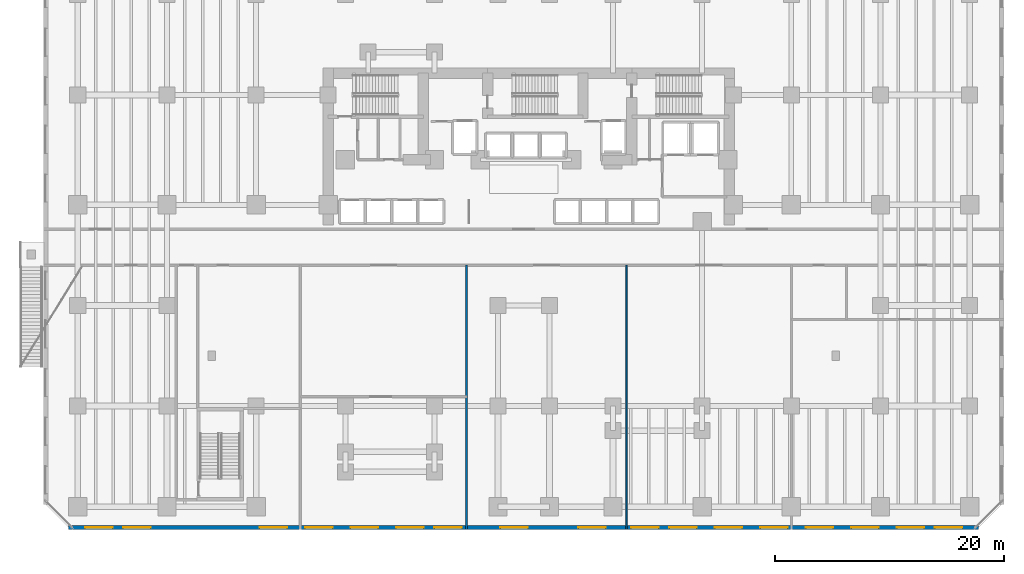
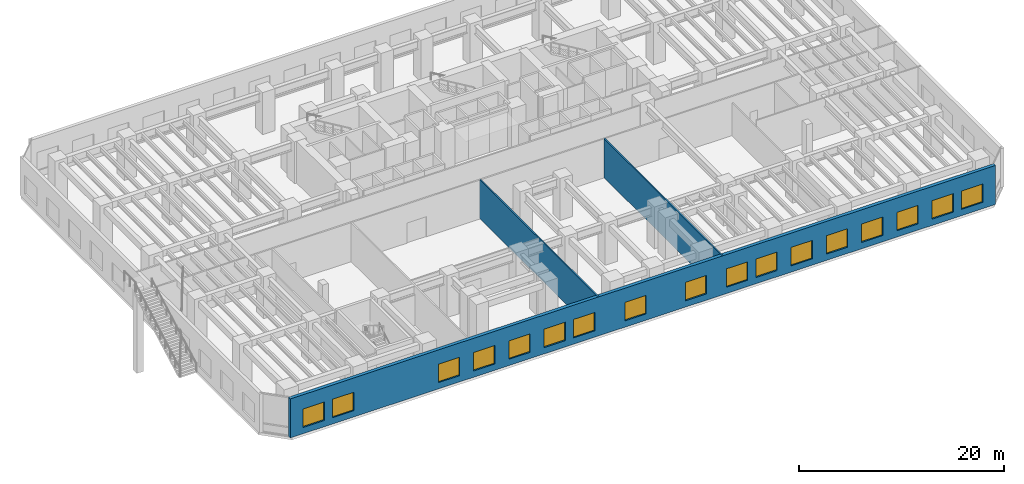
# One storey, part 11 of 19: 17 windows, 3 walls, 17 openings.
"""IFC4 building model written with IfcOpenShell, lengths in metres."""

from ifc_helpers import new_model, si_unit, direction, frame, frame_2d, origin, place, context, subcontext, project, spatial, rectangle, extrude, material, layer, layer_set, type_object, element, fill, save


model = new_model("IFC4")

# Units and contexts
model_context = context("Model", 3, precision=1e-05, world=origin(), true_north=direction((0.0, 1.0)))
body_context = subcontext(model_context, "Body", "Model", "MODEL_VIEW")
ifc_project = project(units=[si_unit("LENGTHUNIT", "METRE"), si_unit("AREAUNIT", "SQUARE_METRE"), si_unit("VOLUMEUNIT", "CUBIC_METRE"), si_unit("PLANEANGLEUNIT", "RADIAN"), si_unit("MASSUNIT", "GRAM", prefix="KILO")], contexts=[model_context])

# Site, building, storey
site_placement = place(None, origin())
site = spatial("IfcSite", under=ifc_project, at=site_placement, CompositionType="ELEMENT")
building_placement = place(site_placement, origin())
building = spatial("IfcBuilding", under=site, at=building_placement, Name="Kestravale Grand Hotel", CompositionType="ELEMENT")
storey_placement = place(building_placement, frame((0.0, 0.0, 5.39990234375)))
storey = spatial("IfcBuildingStorey", under=building, at=storey_placement, Name="L01", CompositionType="ELEMENT", Elevation=5.39990234375)

# Wall, openings, windows
ifc_material_1 = material(Name="Precast concrete f'c 45 MPa", Category="concrete")
ifc_layer_1 = layer(ifc_material_1, 0.3798828125)
ifc_layer_set_1 = layer_set([ifc_layer_1], Name="EW-POD-380")
wall_type_1 = type_object("IfcWallType", Name="EW-POD-380", PredefinedType="SOLIDWALL", material=ifc_layer_set_1)
wall_placement = place(storey_placement, frame((-0.7900390625, 0.590087890625, 0.0), z_axis=(0.0, 0.0, 1.0), x_axis=(1.0, 0.0, 0.0)))
wall = element("IfcWall", 1, at=wall_placement, inside=storey, type_object=wall_type_1, Name="L01 fluted precast facade wall 1", PredefinedType="SOLIDWALL", context=body_context, shape_type="SweptSolid", body=[
    extrude(rectangle(XDim=79.580078125, YDim=0.3798828125, at=frame_2d((39.7900390625, 0.0))), origin(), (0.0, 0.0, 1.0), 4.650146484375),
])
opening_1_placement = place(wall_placement, frame((1.439453125, 0.0, 0.75)))
opening_1 = element("IfcOpeningElement", 2, at=opening_1_placement, cuts=wall, Name="Opening W-POD-2400", PredefinedType="OPENING", context=body_context, shape_type="SweptSolid", body=[
    extrude(rectangle(XDim=2.39990234375, YDim=2.199951171875, at=frame_2d((1.199951171875, 1.10009765625))), frame((0.0, 0.199951171875, 0.0), z_axis=(0.0, -1.0, 0.0), x_axis=(1.0, 0.0, 0.0)), (0.0, 0.0, 1.0), 0.39990234375),
])
opening_2_placement = place(wall_placement, frame((4.7685546875, 0.0, 0.75)))
opening_2 = element("IfcOpeningElement", 3, at=opening_2_placement, cuts=wall, Name="Opening W-POD-2400", PredefinedType="OPENING", context=body_context, shape_type="SweptSolid", body=[
    extrude(rectangle(XDim=2.39990234375, YDim=2.199951171875, at=frame_2d((1.199951171875, 1.10009765625))), frame((0.0, 0.199951171875, 0.0), z_axis=(0.0, -1.0, 0.0), x_axis=(1.0, 0.0, 0.0)), (0.0, 0.0, 1.0), 0.39990234375),
])
opening_3_placement = place(wall_placement, frame((16.70556640625, 0.0, 0.75)))
opening_3 = element("IfcOpeningElement", 4, at=opening_3_placement, cuts=wall, Name="Opening W-POD-2400", PredefinedType="OPENING", context=body_context, shape_type="SweptSolid", body=[
    extrude(rectangle(XDim=2.39990234375, YDim=2.199951171875, at=frame_2d((1.199951171875, 1.10009765625))), frame((0.0, 0.199951171875, 0.0), z_axis=(0.0, -1.0, 0.0), x_axis=(1.0, 0.0, 0.0)), (0.0, 0.0, 1.0), 0.39990234375),
])
opening_4_placement = place(wall_placement, frame((20.6845703125, 0.0, 0.75)))
opening_4 = element("IfcOpeningElement", 5, at=opening_4_placement, cuts=wall, Name="Opening W-POD-2400", PredefinedType="OPENING", context=body_context, shape_type="SweptSolid", body=[
    extrude(rectangle(XDim=2.39990234375, YDim=2.199951171875, at=frame_2d((1.199951171875, 1.10009765625))), frame((0.0, 0.199951171875, 0.0), z_axis=(0.0, -1.0, 0.0), x_axis=(1.0, 0.0, 0.0)), (0.0, 0.0, 1.0), 0.39990234375),
])
opening_5_placement = place(wall_placement, frame((24.66357421875, 0.0, 0.75)))
opening_5 = element("IfcOpeningElement", 6, at=opening_5_placement, cuts=wall, Name="Opening W-POD-2400", PredefinedType="OPENING", context=body_context, shape_type="SweptSolid", body=[
    extrude(rectangle(XDim=2.39990234375, YDim=2.199951171875, at=frame_2d((1.199951171875, 1.10009765625))), frame((0.0, 0.199951171875, 0.0), z_axis=(0.0, -1.0, 0.0), x_axis=(1.0, 0.0, 0.0)), (0.0, 0.0, 1.0), 0.39990234375),
])
opening_6_placement = place(wall_placement, frame((28.642578125, 0.0, 0.75)))
opening_6 = element("IfcOpeningElement", 7, at=opening_6_placement, cuts=wall, Name="Opening W-POD-2400", PredefinedType="OPENING", context=body_context, shape_type="SweptSolid", body=[
    extrude(rectangle(XDim=2.39990234375, YDim=2.199951171875, at=frame_2d((1.199951171875, 1.10009765625))), frame((0.0, 0.199951171875, 0.0), z_axis=(0.0, -1.0, 0.0), x_axis=(1.0, 0.0, 0.0)), (0.0, 0.0, 1.0), 0.39990234375),
])
opening_7_placement = place(wall_placement, frame((31.971435546875, 0.0, 0.75)))
opening_7 = element("IfcOpeningElement", 8, at=opening_7_placement, cuts=wall, Name="Opening W-POD-2400", PredefinedType="OPENING", context=body_context, shape_type="SweptSolid", body=[
    extrude(rectangle(XDim=2.39990234375, YDim=2.199951171875, at=frame_2d((1.199951171875, 1.10009765625))), frame((0.0, 0.199951171875, 0.0), z_axis=(0.0, -1.0, 0.0), x_axis=(1.0, 0.0, 0.0)), (0.0, 0.0, 1.0), 0.39990234375),
])
opening_8_placement = place(wall_placement, frame((37.75048828125, 0.0, 0.75)))
opening_8 = element("IfcOpeningElement", 9, at=opening_8_placement, cuts=wall, Name="Opening W-POD-2400", PredefinedType="OPENING", context=body_context, shape_type="SweptSolid", body=[
    extrude(rectangle(XDim=2.39990234375, YDim=2.199951171875, at=frame_2d((1.199951171875, 1.10009765625))), frame((0.0, 0.199951171875, 0.0), z_axis=(0.0, -1.0, 0.0), x_axis=(1.0, 0.0, 0.0)), (0.0, 0.0, 1.0), 0.39990234375),
])
opening_9_placement = place(wall_placement, frame((44.55859375, 0.0, 0.75)))
opening_9 = element("IfcOpeningElement", 10, at=opening_9_placement, cuts=wall, Name="Opening W-POD-2400", PredefinedType="OPENING", context=body_context, shape_type="SweptSolid", body=[
    extrude(rectangle(XDim=2.39990234375, YDim=2.199951171875, at=frame_2d((1.199951171875, 1.10009765625))), frame((0.0, 0.199951171875, 0.0), z_axis=(0.0, -1.0, 0.0), x_axis=(1.0, 0.0, 0.0)), (0.0, 0.0, 1.0), 0.39990234375),
])
opening_10_placement = place(wall_placement, frame((49.1875, 0.0, 0.75)))
opening_10 = element("IfcOpeningElement", 11, at=opening_10_placement, cuts=wall, Name="Opening W-POD-2400", PredefinedType="OPENING", context=body_context, shape_type="SweptSolid", body=[
    extrude(rectangle(XDim=2.39990234375, YDim=2.199951171875, at=frame_2d((1.199951171875, 1.10009765625))), frame((0.0, 0.199951171875, 0.0), z_axis=(0.0, -1.0, 0.0), x_axis=(1.0, 0.0, 0.0)), (0.0, 0.0, 1.0), 0.39990234375),
])
opening_11_placement = place(wall_placement, frame((52.5166015625, 0.0, 0.75)))
opening_11 = element("IfcOpeningElement", 12, at=opening_11_placement, cuts=wall, Name="Opening W-POD-2400", PredefinedType="OPENING", context=body_context, shape_type="SweptSolid", body=[
    extrude(rectangle(XDim=2.39990234375, YDim=2.199951171875, at=frame_2d((1.199951171875, 1.10009765625))), frame((0.0, 0.199951171875, 0.0), z_axis=(0.0, -1.0, 0.0), x_axis=(1.0, 0.0, 0.0)), (0.0, 0.0, 1.0), 0.39990234375),
])
opening_12_placement = place(wall_placement, frame((56.49560546875, 0.0, 0.75)))
opening_12 = element("IfcOpeningElement", 13, at=opening_12_placement, cuts=wall, Name="Opening W-POD-2400", PredefinedType="OPENING", context=body_context, shape_type="SweptSolid", body=[
    extrude(rectangle(XDim=2.39990234375, YDim=2.199951171875, at=frame_2d((1.199951171875, 1.10009765625))), frame((0.0, 0.199951171875, 0.0), z_axis=(0.0, -1.0, 0.0), x_axis=(1.0, 0.0, 0.0)), (0.0, 0.0, 1.0), 0.39990234375),
])
opening_13_placement = place(wall_placement, frame((60.474609375, 0.0, 0.75)))
opening_13 = element("IfcOpeningElement", 14, at=opening_13_placement, cuts=wall, Name="Opening W-POD-2400", PredefinedType="OPENING", context=body_context, shape_type="SweptSolid", body=[
    extrude(rectangle(XDim=2.39990234375, YDim=2.199951171875, at=frame_2d((1.199951171875, 1.10009765625))), frame((0.0, 0.199951171875, 0.0), z_axis=(0.0, -1.0, 0.0), x_axis=(1.0, 0.0, 0.0)), (0.0, 0.0, 1.0), 0.39990234375),
])
opening_14_placement = place(wall_placement, frame((64.45361328125, 0.0, 0.75)))
opening_14 = element("IfcOpeningElement", 15, at=opening_14_placement, cuts=wall, Name="Opening W-POD-2400", PredefinedType="OPENING", context=body_context, shape_type="SweptSolid", body=[
    extrude(rectangle(XDim=2.39990234375, YDim=2.199951171875, at=frame_2d((1.199951171875, 1.10009765625))), frame((0.0, 0.199951171875, 0.0), z_axis=(0.0, -1.0, 0.0), x_axis=(1.0, 0.0, 0.0)), (0.0, 0.0, 1.0), 0.39990234375),
])
opening_15_placement = place(wall_placement, frame((68.4326171875, 0.0, 0.75)))
opening_15 = element("IfcOpeningElement", 16, at=opening_15_placement, cuts=wall, Name="Opening W-POD-2400", PredefinedType="OPENING", context=body_context, shape_type="SweptSolid", body=[
    extrude(rectangle(XDim=2.39990234375, YDim=2.199951171875, at=frame_2d((1.199951171875, 1.10009765625))), frame((0.0, 0.199951171875, 0.0), z_axis=(0.0, -1.0, 0.0), x_axis=(1.0, 0.0, 0.0)), (0.0, 0.0, 1.0), 0.39990234375),
])
opening_16_placement = place(wall_placement, frame((72.41162109375, 0.0, 0.75)))
opening_16 = element("IfcOpeningElement", 17, at=opening_16_placement, cuts=wall, Name="Opening W-POD-2400", PredefinedType="OPENING", context=body_context, shape_type="SweptSolid", body=[
    extrude(rectangle(XDim=2.39990234375, YDim=2.199951171875, at=frame_2d((1.199951171875, 1.10009765625))), frame((0.0, 0.199951171875, 0.0), z_axis=(0.0, -1.0, 0.0), x_axis=(1.0, 0.0, 0.0)), (0.0, 0.0, 1.0), 0.39990234375),
])
opening_17_placement = place(wall_placement, frame((75.740478515625, 0.0, 0.75)))
opening_17 = element("IfcOpeningElement", 18, at=opening_17_placement, cuts=wall, Name="Opening W-POD-2400", PredefinedType="OPENING", context=body_context, shape_type="SweptSolid", body=[
    extrude(rectangle(XDim=2.39990234375, YDim=2.199951171875, at=frame_2d((1.199951171875, 1.10009765625))), frame((0.0, 0.199951171875, 0.0), z_axis=(0.0, -1.0, 0.0), x_axis=(1.0, 0.0, 0.0)), (0.0, 0.0, 1.0), 0.39990234375),
])
ifc_material_2 = material(Name="Insulated low-E double glazing in aluminium frame", Category="aluminium")
window_type = type_object("IfcWindowType", Name="W-POD-2400", PartitioningType="DOUBLE_PANEL_VERTICAL", PredefinedType="WINDOW", material=ifc_material_2)
window_1_placement = place(opening_1_placement, origin())
window_1 = element("IfcWindow", 19, at=window_1_placement, inside=storey, type_object=window_type, Name="L01 exterior window 1.1", OverallHeight=2.199951171875, OverallWidth=2.39990234375, PartitioningType="SINGLE_PANEL", PredefinedType="WINDOW", context=body_context, shape_type="SweptSolid", body=[
    extrude(rectangle(XDim=2.39990234375, YDim=2.199951171875, at=frame_2d((1.199951171875, 1.10009765625))), frame((0.0, 0.030029296875, 0.0), z_axis=(0.0, -1.0, 0.0), x_axis=(1.0, 0.0, 0.0)), (0.0, 0.0, 1.0), 0.06005859375),
])
fill(opening_1, window_1)
window_2_placement = place(opening_2_placement, origin())
window_2 = element("IfcWindow", 20, at=window_2_placement, inside=storey, type_object=window_type, Name="L01 exterior window 1.2", OverallHeight=2.199951171875, OverallWidth=2.39990234375, PartitioningType="SINGLE_PANEL", PredefinedType="WINDOW", context=body_context, shape_type="SweptSolid", body=[
    extrude(rectangle(XDim=2.39990234375, YDim=2.199951171875, at=frame_2d((1.199951171875, 1.10009765625))), frame((0.0, 0.030029296875, 0.0), z_axis=(0.0, -1.0, 0.0), x_axis=(1.0, 0.0, 0.0)), (0.0, 0.0, 1.0), 0.06005859375),
])
fill(opening_2, window_2)
window_3_placement = place(opening_3_placement, origin())
window_3 = element("IfcWindow", 21, at=window_3_placement, inside=storey, type_object=window_type, Name="L01 exterior window 1.3", OverallHeight=2.199951171875, OverallWidth=2.39990234375, PartitioningType="SINGLE_PANEL", PredefinedType="WINDOW", context=body_context, shape_type="SweptSolid", body=[
    extrude(rectangle(XDim=2.39990234375, YDim=2.199951171875, at=frame_2d((1.199951171875, 1.10009765625))), frame((0.0, 0.030029296875, 0.0), z_axis=(0.0, -1.0, 0.0), x_axis=(1.0, 0.0, 0.0)), (0.0, 0.0, 1.0), 0.06005859375),
])
fill(opening_3, window_3)
window_4_placement = place(opening_4_placement, origin())
window_4 = element("IfcWindow", 22, at=window_4_placement, inside=storey, type_object=window_type, Name="L01 exterior window 1.4", OverallHeight=2.199951171875, OverallWidth=2.39990234375, PartitioningType="SINGLE_PANEL", PredefinedType="WINDOW", context=body_context, shape_type="SweptSolid", body=[
    extrude(rectangle(XDim=2.39990234375, YDim=2.199951171875, at=frame_2d((1.199951171875, 1.10009765625))), frame((0.0, 0.030029296875, 0.0), z_axis=(0.0, -1.0, 0.0), x_axis=(1.0, 0.0, 0.0)), (0.0, 0.0, 1.0), 0.06005859375),
])
fill(opening_4, window_4)
window_5_placement = place(opening_5_placement, origin())
window_5 = element("IfcWindow", 23, at=window_5_placement, inside=storey, type_object=window_type, Name="L01 exterior window 1.5", OverallHeight=2.199951171875, OverallWidth=2.39990234375, PartitioningType="SINGLE_PANEL", PredefinedType="WINDOW", context=body_context, shape_type="SweptSolid", body=[
    extrude(rectangle(XDim=2.39990234375, YDim=2.199951171875, at=frame_2d((1.199951171875, 1.10009765625))), frame((0.0, 0.030029296875, 0.0), z_axis=(0.0, -1.0, 0.0), x_axis=(1.0, 0.0, 0.0)), (0.0, 0.0, 1.0), 0.06005859375),
])
fill(opening_5, window_5)
window_6_placement = place(opening_6_placement, origin())
window_6 = element("IfcWindow", 24, at=window_6_placement, inside=storey, type_object=window_type, Name="L01 exterior window 1.6", OverallHeight=2.199951171875, OverallWidth=2.39990234375, PartitioningType="SINGLE_PANEL", PredefinedType="WINDOW", context=body_context, shape_type="SweptSolid", body=[
    extrude(rectangle(XDim=2.39990234375, YDim=2.199951171875, at=frame_2d((1.199951171875, 1.10009765625))), frame((0.0, 0.030029296875, 0.0), z_axis=(0.0, -1.0, 0.0), x_axis=(1.0, 0.0, 0.0)), (0.0, 0.0, 1.0), 0.06005859375),
])
fill(opening_6, window_6)
window_7_placement = place(opening_7_placement, origin())
window_7 = element("IfcWindow", 25, at=window_7_placement, inside=storey, type_object=window_type, Name="L01 exterior window 1.7", OverallHeight=2.199951171875, OverallWidth=2.39990234375, PartitioningType="SINGLE_PANEL", PredefinedType="WINDOW", context=body_context, shape_type="SweptSolid", body=[
    extrude(rectangle(XDim=2.39990234375, YDim=2.199951171875, at=frame_2d((1.199951171875, 1.10009765625))), frame((0.0, 0.030029296875, 0.0), z_axis=(0.0, -1.0, 0.0), x_axis=(1.0, 0.0, 0.0)), (0.0, 0.0, 1.0), 0.06005859375),
])
fill(opening_7, window_7)
window_8_placement = place(opening_8_placement, origin())
window_8 = element("IfcWindow", 26, at=window_8_placement, inside=storey, type_object=window_type, Name="L01 exterior window 1.8", OverallHeight=2.199951171875, OverallWidth=2.39990234375, PartitioningType="SINGLE_PANEL", PredefinedType="WINDOW", context=body_context, shape_type="SweptSolid", body=[
    extrude(rectangle(XDim=2.39990234375, YDim=2.199951171875, at=frame_2d((1.199951171875, 1.10009765625))), frame((0.0, 0.030029296875, 0.0), z_axis=(0.0, -1.0, 0.0), x_axis=(1.0, 0.0, 0.0)), (0.0, 0.0, 1.0), 0.06005859375),
])
fill(opening_8, window_8)
window_9_placement = place(opening_9_placement, origin())
window_9 = element("IfcWindow", 27, at=window_9_placement, inside=storey, type_object=window_type, Name="L01 exterior window 1.9", OverallHeight=2.199951171875, OverallWidth=2.39990234375, PartitioningType="SINGLE_PANEL", PredefinedType="WINDOW", context=body_context, shape_type="SweptSolid", body=[
    extrude(rectangle(XDim=2.39990234375, YDim=2.199951171875, at=frame_2d((1.199951171875, 1.10009765625))), frame((0.0, 0.030029296875, 0.0), z_axis=(0.0, -1.0, 0.0), x_axis=(1.0, 0.0, 0.0)), (0.0, 0.0, 1.0), 0.06005859375),
])
fill(opening_9, window_9)
window_10_placement = place(opening_10_placement, origin())
window_10 = element("IfcWindow", 28, at=window_10_placement, inside=storey, type_object=window_type, Name="L01 exterior window 1.10", OverallHeight=2.199951171875, OverallWidth=2.39990234375, PartitioningType="SINGLE_PANEL", PredefinedType="WINDOW", context=body_context, shape_type="SweptSolid", body=[
    extrude(rectangle(XDim=2.39990234375, YDim=2.199951171875, at=frame_2d((1.199951171875, 1.10009765625))), frame((0.0, 0.030029296875, 0.0), z_axis=(0.0, -1.0, 0.0), x_axis=(1.0, 0.0, 0.0)), (0.0, 0.0, 1.0), 0.06005859375),
])
fill(opening_10, window_10)
window_11_placement = place(opening_11_placement, origin())
window_11 = element("IfcWindow", 29, at=window_11_placement, inside=storey, type_object=window_type, Name="L01 exterior window 1.11", OverallHeight=2.199951171875, OverallWidth=2.39990234375, PartitioningType="SINGLE_PANEL", PredefinedType="WINDOW", context=body_context, shape_type="SweptSolid", body=[
    extrude(rectangle(XDim=2.39990234375, YDim=2.199951171875, at=frame_2d((1.199951171875, 1.10009765625))), frame((0.0, 0.030029296875, 0.0), z_axis=(0.0, -1.0, 0.0), x_axis=(1.0, 0.0, 0.0)), (0.0, 0.0, 1.0), 0.06005859375),
])
fill(opening_11, window_11)
window_12_placement = place(opening_12_placement, origin())
window_12 = element("IfcWindow", 30, at=window_12_placement, inside=storey, type_object=window_type, Name="L01 exterior window 1.12", OverallHeight=2.199951171875, OverallWidth=2.39990234375, PartitioningType="SINGLE_PANEL", PredefinedType="WINDOW", context=body_context, shape_type="SweptSolid", body=[
    extrude(rectangle(XDim=2.39990234375, YDim=2.199951171875, at=frame_2d((1.199951171875, 1.10009765625))), frame((0.0, 0.030029296875, 0.0), z_axis=(0.0, -1.0, 0.0), x_axis=(1.0, 0.0, 0.0)), (0.0, 0.0, 1.0), 0.06005859375),
])
fill(opening_12, window_12)
window_13_placement = place(opening_13_placement, origin())
window_13 = element("IfcWindow", 31, at=window_13_placement, inside=storey, type_object=window_type, Name="L01 exterior window 1.13", OverallHeight=2.199951171875, OverallWidth=2.39990234375, PartitioningType="SINGLE_PANEL", PredefinedType="WINDOW", context=body_context, shape_type="SweptSolid", body=[
    extrude(rectangle(XDim=2.39990234375, YDim=2.199951171875, at=frame_2d((1.199951171875, 1.10009765625))), frame((0.0, 0.030029296875, 0.0), z_axis=(0.0, -1.0, 0.0), x_axis=(1.0, 0.0, 0.0)), (0.0, 0.0, 1.0), 0.06005859375),
])
fill(opening_13, window_13)
window_14_placement = place(opening_14_placement, origin())
window_14 = element("IfcWindow", 32, at=window_14_placement, inside=storey, type_object=window_type, Name="L01 exterior window 1.14", OverallHeight=2.199951171875, OverallWidth=2.39990234375, PartitioningType="SINGLE_PANEL", PredefinedType="WINDOW", context=body_context, shape_type="SweptSolid", body=[
    extrude(rectangle(XDim=2.39990234375, YDim=2.199951171875, at=frame_2d((1.199951171875, 1.10009765625))), frame((0.0, 0.030029296875, 0.0), z_axis=(0.0, -1.0, 0.0), x_axis=(1.0, 0.0, 0.0)), (0.0, 0.0, 1.0), 0.06005859375),
])
fill(opening_14, window_14)
window_15_placement = place(opening_15_placement, origin())
window_15 = element("IfcWindow", 33, at=window_15_placement, inside=storey, type_object=window_type, Name="L01 exterior window 1.15", OverallHeight=2.199951171875, OverallWidth=2.39990234375, PartitioningType="SINGLE_PANEL", PredefinedType="WINDOW", context=body_context, shape_type="SweptSolid", body=[
    extrude(rectangle(XDim=2.39990234375, YDim=2.199951171875, at=frame_2d((1.199951171875, 1.10009765625))), frame((0.0, 0.030029296875, 0.0), z_axis=(0.0, -1.0, 0.0), x_axis=(1.0, 0.0, 0.0)), (0.0, 0.0, 1.0), 0.06005859375),
])
fill(opening_15, window_15)
window_16_placement = place(opening_16_placement, origin())
window_16 = element("IfcWindow", 34, at=window_16_placement, inside=storey, type_object=window_type, Name="L01 exterior window 1.16", OverallHeight=2.199951171875, OverallWidth=2.39990234375, PartitioningType="SINGLE_PANEL", PredefinedType="WINDOW", context=body_context, shape_type="SweptSolid", body=[
    extrude(rectangle(XDim=2.39990234375, YDim=2.199951171875, at=frame_2d((1.199951171875, 1.10009765625))), frame((0.0, 0.030029296875, 0.0), z_axis=(0.0, -1.0, 0.0), x_axis=(1.0, 0.0, 0.0)), (0.0, 0.0, 1.0), 0.06005859375),
])
fill(opening_16, window_16)
window_17_placement = place(opening_17_placement, origin())
window_17 = element("IfcWindow", 35, at=window_17_placement, inside=storey, type_object=window_type, Name="L01 exterior window 1.17", OverallHeight=2.199951171875, OverallWidth=2.39990234375, PartitioningType="SINGLE_PANEL", PredefinedType="WINDOW", context=body_context, shape_type="SweptSolid", body=[
    extrude(rectangle(XDim=2.39990234375, YDim=2.199951171875, at=frame_2d((1.199951171875, 1.10009765625))), frame((0.0, 0.030029296875, 0.0), z_axis=(0.0, -1.0, 0.0), x_axis=(1.0, 0.0, 0.0)), (0.0, 0.0, 1.0), 0.06005859375),
])
fill(opening_17, window_17)

# Walls
ifc_material_3 = material(Name="Double-stud STC 52 acoustic demising partition", Category="other")
ifc_layer_2 = layer(ifc_material_3, 0.14990234375)
ifc_layer_set_2 = layer_set([ifc_layer_2], Name="IW-UNIT-150")
wall_type_2 = type_object("IfcWallType", Name="IW-UNIT-150", PredefinedType="PARTITIONING", material=ifc_layer_set_2)
for number, where, z_axis, x_axis, name in (
    (36, (34.0, 0.419921875, 0.0), (0.0, 0.0, 1.0), (0.0, 1.0, 0.0), "W-L01-SD-1"),
    (37, (48.0, 0.419921875, 0.0), (0.0, 0.0, 1.0), (0.0, 1.0, 0.0), "W-L01-SD-2"),
):
    element("IfcWall", number, at=place(storey_placement, frame(where, z_axis=z_axis, x_axis=x_axis)), inside=storey, type_object=wall_type_2, Name=name, PredefinedType="PARTITIONING", context=body_context, shape_type="SweptSolid", body=[
        extrude(rectangle(XDim=23.10009765625, YDim=0.14990234375, at=frame_2d((11.550048828125, 0.0))), origin(), (0.0, 0.0, 1.0), 4.650146484375),
    ])

save(model, "model.ifc")
